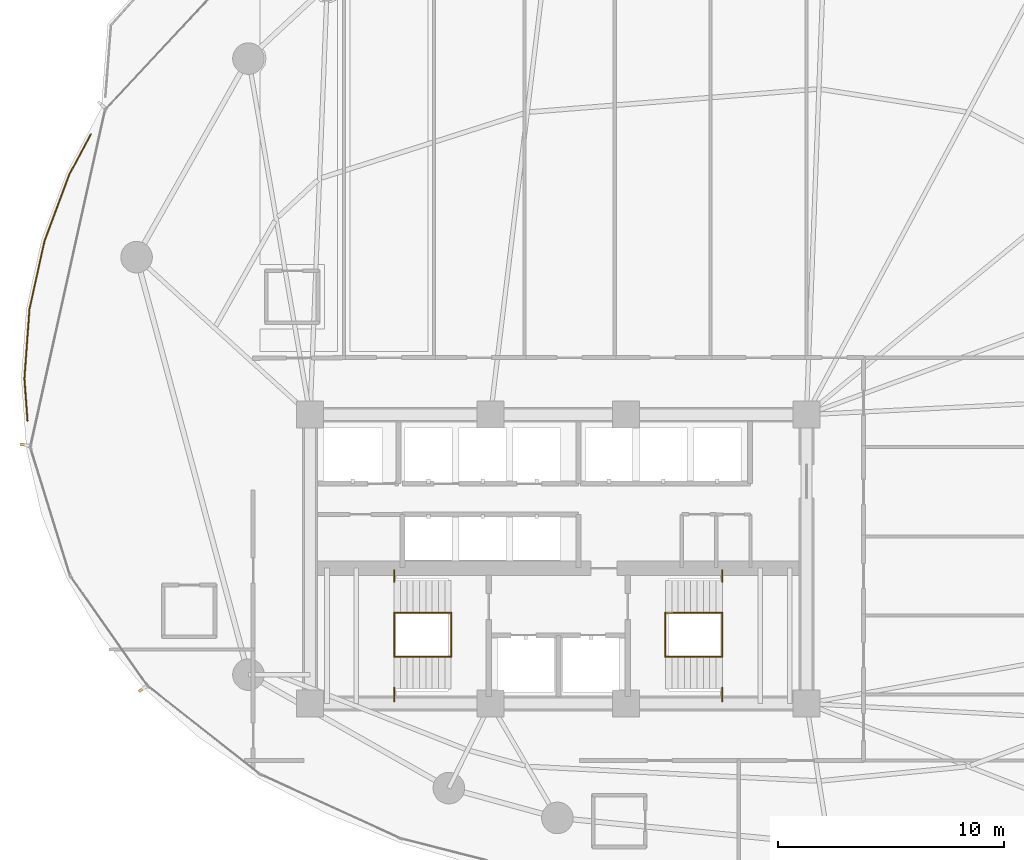
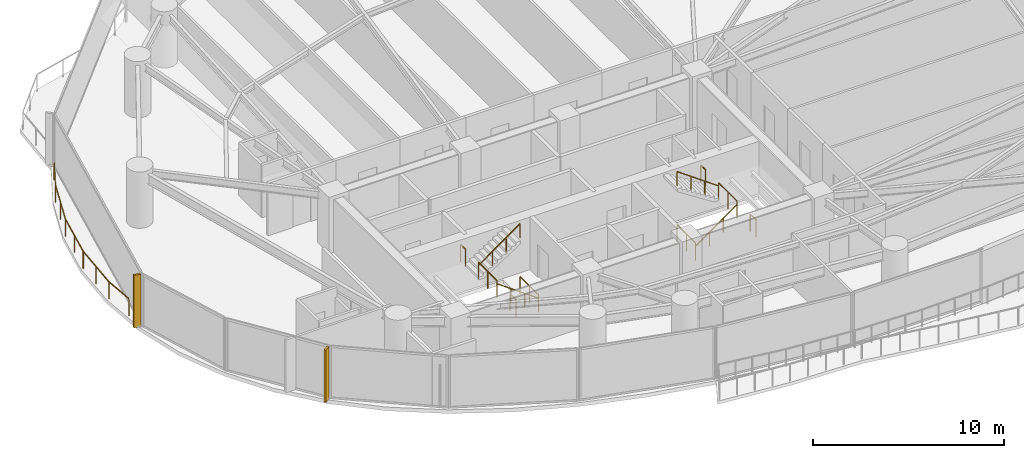
# One storey, part 30 of 33: 13 railings, 2 shading devices.
"""IFC4 building model written with IfcOpenShell, lengths in metres."""

import ifcopenshell
import ifcopenshell.guid

model = None  # the IFC model being written
_history = None  # IfcOwnerHistory: only IFC2X3 demands one
_inside = {}  # id of a spatial element -> (the spatial element, [elements in it])
_under = {}  # id of a project, library or spatial element -> (it, [spatial elements below it])
_declared = {}  # id of a project -> (the project, [libraries it declares])
_typed = {}  # id of a type object -> (the type object, [elements of that type])
_made_of = {}  # id of a material, layer set ... -> (it, [elements and type objects made of it])


def new_model(schema):
    """Start an empty IFC model of exactly this schema.

    Asked for "IFC4X3", IfcOpenShell would pick the latest addendum, in which some entities
    have other attributes; the version numbers below select the first issue.
    IFC2X3 requires an IfcOwnerHistory on every rooted entity: one is made here for all.
    """
    global model, _history
    if schema == "IFC4X3":
        model = ifcopenshell.file(schema_version=(4, 3, 0, 0))
    else:
        model = ifcopenshell.file(schema=schema)
    _inside.clear()
    _under.clear()
    _declared.clear()
    _typed.clear()
    _made_of.clear()
    _history = None
    if model.schema == "IFC2X3":
        org = make("IfcOrganization", Name="unknown")
        user = make(
            "IfcPersonAndOrganization",
            ThePerson=make("IfcPerson", FamilyName="unknown"),
            TheOrganization=org,
        )
        app = make(
            "IfcApplication",
            ApplicationDeveloper=org,
            Version="unknown",
            ApplicationFullName="unknown",
            ApplicationIdentifier="unknown",
        )
        _history = make(
            "IfcOwnerHistory",
            OwningUser=user,
            OwningApplication=app,
            ChangeAction="ADDED",
            CreationDate=0,
        )
    return model


def make(cls, **values):
    """One entity of the class cls with the attributes given. An attribute that is None is left unset."""
    return model.create_entity(
        cls, **{name: value for name, value in values.items() if value is not None}
    )


def rooted(cls, **values):
    """An entity with a GlobalId (a new one), such as an element, a storey or a relation."""
    return make(cls, GlobalId=ifcopenshell.guid.new(), OwnerHistory=_history, **values)


def si_unit(unit_type, name, prefix=None):
    """IfcSIUnit, for example si_unit("LENGTHUNIT", "METRE", prefix="MILLI")."""
    return make("IfcSIUnit", UnitType=unit_type, Prefix=prefix, Name=name)


def assignment(units):
    """IfcUnitAssignment: the units of a project."""
    return None if units is None else make("IfcUnitAssignment", Units=units)


def point(xyz):
    """IfcCartesianPoint."""
    return None if xyz is None else make("IfcCartesianPoint", Coordinates=xyz)


def direction(xyz):
    """IfcDirection."""
    return None if xyz is None else make("IfcDirection", DirectionRatios=xyz)


def frame(location, z_axis=None, x_axis=None):
    """IfcAxis2Placement3D, a coordinate frame: its origin and axes. An axis left out is left unset."""
    return make(
        "IfcAxis2Placement3D",
        Location=point(location),
        Axis=direction(z_axis),
        RefDirection=direction(x_axis),
    )


def frame_2d(location, x_axis=None):
    """IfcAxis2Placement2D, a coordinate frame in the plane: its origin and x axis."""
    return make(
        "IfcAxis2Placement2D", Location=point(location), RefDirection=direction(x_axis)
    )


def origin():
    """The frame at (0, 0, 0) with its axes left unset."""
    return frame((0.0, 0.0, 0.0))


def origin_2d():
    """The frame at (0, 0) in the plane with its x axis left unset."""
    return frame_2d((0.0, 0.0))


def place(relative_to, where):
    """IfcLocalPlacement: puts the frame where relative to a parent placement (None: the world)."""
    return make(
        "IfcLocalPlacement", PlacementRelTo=relative_to, RelativePlacement=where
    )


def context(
    kind, dimensions, precision=None, world=None, true_north=None, identifier=None
):
    """IfcGeometricRepresentationContext, for example the 3D "Model" context."""
    return make(
        "IfcGeometricRepresentationContext",
        ContextIdentifier=identifier,
        ContextType=kind,
        CoordinateSpaceDimension=dimensions,
        Precision=precision,
        WorldCoordinateSystem=world,
        TrueNorth=true_north,
    )


def subcontext(parent, identifier, kind, view, scale=None):
    """IfcGeometricRepresentationSubContext, for example "Body" below "Model"."""
    return make(
        "IfcGeometricRepresentationSubContext",
        ContextIdentifier=identifier,
        ContextType=kind,
        ParentContext=parent,
        TargetScale=scale,
        TargetView=view,
    )


def project(units=None, contexts=None):
    """IfcProject with its units and contexts."""
    return rooted(
        "IfcProject",
        Name="project",
        RepresentationContexts=contexts,
        UnitsInContext=assignment(units),
    )


def spatial(cls, under=None, at=None, **own):
    """A site, building, storey or space (cls), placed at a placement, below another one or the project."""
    s = rooted(cls, ObjectPlacement=at, **own)
    if under is not None:
        _under.setdefault(under.id(), (under, []))[1].append(s)
    return s


def profile(cls, at=None, kind="AREA", **sizes):
    """A parametric profile (cls). Its sizes go by their IFC names, for example OverallWidth=200.0."""
    return make(cls, ProfileType=kind, Position=at, **sizes)


def rectangle(**sizes):
    """IfcRectangleProfileDef."""
    return profile("IfcRectangleProfileDef", **sizes)


def extrude(swept, where, along, depth):
    """IfcExtrudedAreaSolid: the profile swept, set in the frame where, extruded along a direction by depth."""
    return make(
        "IfcExtrudedAreaSolid",
        SweptArea=swept,
        Position=where,
        ExtrudedDirection=direction(along),
        Depth=depth,
    )


def shape(context_of_items, identifier, shape_type, items):
    """IfcShapeRepresentation: the items that make up one representation, for example the "Body"."""
    return make(
        "IfcShapeRepresentation",
        ContextOfItems=context_of_items,
        RepresentationIdentifier=identifier,
        RepresentationType=shape_type,
        Items=items,
    )


def material(Name=None, Category=None):
    """IfcMaterial."""
    return make("IfcMaterial", Name=Name, Category=Category)


def made_of(thing, what):
    """Note that an element or type object is made of a material, layer set ...; save() writes the relation."""
    if what is not None:
        _made_of.setdefault(what.id(), (what, []))[1].append(thing)
    return thing


def type_object(cls, material=None, **own):
    """A type object (cls), such as IfcWallType, which elements share."""
    return made_of(rooted(cls, **own), material)


def element(
    cls,
    number,
    at=None,
    inside=None,
    cuts=None,
    type_object=None,
    material=None,
    context=None,
    identifier="Body",
    shape_type=None,
    held_by="IfcProductDefinitionShape",
    body=None,
    shapes=None,
    **own,
):
    """One element of the class cls, such as IfcWall. Its Tag is "e" and its number.

    at: its placement. inside: the storey or other place that contains it. cuts: it is an
    opening in that element (IfcRelVoidsElement). A single representation is given by context,
    identifier, shape_type and body (its items); several are given by shapes. held_by: the class
    of the entity that holds the representations. save() writes the other relations.
    """
    e = rooted(cls, Tag="e%d" % number, ObjectPlacement=at, **own)
    if body is not None:
        shapes = [shape(context, identifier, shape_type, body)]
    if shapes is not None:
        e.Representation = make(held_by, Representations=shapes)
    if inside is not None:
        _inside.setdefault(inside.id(), (inside, []))[1].append(e)
    if cuts is not None:
        rooted(
            "IfcRelVoidsElement", RelatingBuildingElement=cuts, RelatedOpeningElement=e
        )
    if type_object is not None:
        _typed.setdefault(type_object.id(), (type_object, []))[1].append(e)
    return made_of(e, material)


def aggregate(whole, parts):
    """IfcRelAggregates: a whole, such as a stair, and the parts it consists of."""
    return rooted("IfcRelAggregates", RelatingObject=whole, RelatedObjects=parts)


def save(model, path):
    """Write the relations noted so far, then the file.

    IfcRelAggregates (storeys below a building ...), IfcRelContainedInSpatialStructure (elements
    in a storey), IfcRelDefinesByType, IfcRelAssociatesMaterial and IfcRelDeclares: one each for
    every whole, place, type object, material and project.
    """
    for whole, parts in _under.values():
        aggregate(whole, parts)
    for where, things in _inside.values():
        rooted(
            "IfcRelContainedInSpatialStructure",
            RelatedElements=things,
            RelatingStructure=where,
        )
    for kind, things in _typed.values():
        rooted("IfcRelDefinesByType", RelatedObjects=things, RelatingType=kind)
    for what, things in _made_of.values():
        rooted("IfcRelAssociatesMaterial", RelatedObjects=things, RelatingMaterial=what)
    for by, libraries in _declared.values():
        rooted("IfcRelDeclares", RelatingContext=by, RelatedDefinitions=libraries)
    model.write(path)


model = new_model("IFC4")

# Units and contexts
model_context = context("Model", 3, precision=1e-05, world=origin(), true_north=direction((0.0, 1.0)))
body_context = subcontext(model_context, "Body", "Model", "MODEL_VIEW")
ifc_project = project(units=[si_unit("LENGTHUNIT", "METRE"), si_unit("AREAUNIT", "SQUARE_METRE"), si_unit("VOLUMEUNIT", "CUBIC_METRE"), si_unit("PLANEANGLEUNIT", "RADIAN"), si_unit("MASSUNIT", "GRAM", prefix="KILO")], contexts=[model_context])

# Site, building, storey
site_placement = place(None, origin())
site = spatial("IfcSite", under=ifc_project, at=site_placement, CompositionType="ELEMENT")
building_placement = place(site_placement, origin())
building = spatial("IfcBuilding", under=site, at=building_placement, Name="Kazevale Care Tower and Concert Hall", CompositionType="ELEMENT")
storey_placement = place(building_placement, frame((0.0, 0.0, 31.199951171875)))
storey = spatial("IfcBuildingStorey", under=building, at=storey_placement, Name="L07", CompositionType="ELEMENT", Elevation=31.199951171875)

# Railings
ifc_material_1 = material(Name="Anodised Bronze Aluminium and Laminated Glass", Category="aluminium")
railing_type_1 = type_object("IfcRailingType", Name="Balcony and Terrace Balustrade 1120", PredefinedType="BALUSTRADE", material=ifc_material_1)
railing_1_placement = place(storey_placement, frame((9.47705078125, 36.139892578125, 0.0)))
element("IfcRailing", 1, at=railing_1_placement, inside=storey, type_object=railing_type_1, Name="rail:L07:perim:1", PredefinedType="BALUSTRADE", context=body_context, shape_type="SweptSolid", body=[
    extrude(rectangle(XDim=0.048095703125, YDim=0.048095703125, at=origin_2d()), frame((0.0, 0.0, 1.09619140625), z_axis=(-0.073432916276, 0.997300158832, 0.0), x_axis=(-0.997300158832, -0.073432916276, 0.0)), (0.0, 0.0, 1.0), 1.865234375),
    extrude(rectangle(XDim=0.048095703125, YDim=0.048095703125, at=origin_2d()), frame((-0.136962890625, 1.860107421875, 1.09619140625), z_axis=(0.072729345696, 0.997351714429, 0.0), x_axis=(-0.997351714429, 0.072729345696, 0.0)), (0.0, 0.0, 1.0), 3.078125),
    extrude(rectangle(XDim=0.048095703125, YDim=0.048095703125, at=origin_2d()), frame((0.0869140625, 4.93017578125, 1.09619140625), z_axis=(0.215148295556, 0.976581389808, 0.0), x_axis=(-0.976581389808, 0.215148295556, 0.0)), (0.0, 0.0, 1.0), 3.104736328125),
    extrude(rectangle(XDim=0.048095703125, YDim=0.048095703125, at=origin_2d()), frame((0.7548828125, 7.962158203125, 1.09619140625), z_axis=(0.350139798457, 0.936697454644, 0.0), x_axis=(-0.936697454644, 0.350139798457, 0.0)), (0.0, 0.0, 1.0), 3.15576171875),
    extrude(rectangle(XDim=0.048095703125, YDim=0.048095703125, at=origin_2d()), frame((1.85986328125, 10.918212890625, 1.09619140625), z_axis=(0.473074439741, 0.881022459682, 0.0), x_axis=(-0.881022459682, 0.473074439741, 0.0)), (0.0, 0.0, 1.0), 2.016845703125),
    extrude(rectangle(XDim=0.0419921875, YDim=0.0419921875, at=origin_2d()), origin(), (0.0, 0.0, 1.0), 1.072021484375),
    extrude(rectangle(XDim=0.0419921875, YDim=0.0419921875, at=origin_2d()), frame((-0.136962890625, 1.860107421875, 0.0)), (0.0, 0.0, 1.0), 1.072021484375),
    extrude(rectangle(XDim=0.0419921875, YDim=0.0419921875, at=origin_2d()), frame((-0.02490234375, 3.39501953125, 0.0)), (0.0, 0.0, 1.0), 1.072021484375),
    extrude(rectangle(XDim=0.0419921875, YDim=0.0419921875, at=origin_2d()), frame((0.0869140625, 4.93017578125, 0.0)), (0.0, 0.0, 1.0), 1.072021484375),
    extrude(rectangle(XDim=0.0419921875, YDim=0.0419921875, at=origin_2d()), frame((0.4208984375, 6.4462890625, 0.0)), (0.0, 0.0, 1.0), 1.072021484375),
    extrude(rectangle(XDim=0.0419921875, YDim=0.0419921875, at=origin_2d()), frame((0.7548828125, 7.962158203125, 0.0)), (0.0, 0.0, 1.0), 1.072021484375),
    extrude(rectangle(XDim=0.0419921875, YDim=0.0419921875, at=origin_2d()), frame((1.307373046875, 9.440185546875, 0.0)), (0.0, 0.0, 1.0), 1.072021484375),
    extrude(rectangle(XDim=0.0419921875, YDim=0.0419921875, at=origin_2d()), frame((1.85986328125, 10.918212890625, 0.0)), (0.0, 0.0, 1.0), 1.072021484375),
    extrude(rectangle(XDim=0.0419921875, YDim=0.0419921875, at=origin_2d()), frame((2.81396484375, 12.695068359375, 0.0)), (0.0, 0.0, 1.0), 1.072021484375),
])
ifc_material_2 = material(Name="Stainless Steel 316", Category="steel")
railing_type_2 = type_object("IfcRailingType", Name="Stair Pitch Handrail 920", PredefinedType="HANDRAIL", material=ifc_material_2)
railing_2_placement = place(storey_placement, frame((28.25, 25.679931640625, 0.0)))
element("IfcRailing", 2, at=railing_2_placement, inside=storey, type_object=railing_type_2, Name="stair:L07:ST1:hr1", PredefinedType="HANDRAIL", context=body_context, shape_type="SweptSolid", body=[
    extrude(rectangle(XDim=0.048095703125, YDim=0.048095703125, at=origin_2d()), frame((0.0, 0.0, 0.89599609375), z_axis=(-0.813728144527, 0.0, 0.581245650998), x_axis=(0.0, -1.0, 0.0)), (0.0, 0.0, 1.0), 3.096923828125),
    extrude(rectangle(XDim=0.0419921875, YDim=0.0419921875, at=origin_2d()), origin(), (0.0, 0.0, 1.0), 0.871826171875),
    extrude(rectangle(XDim=0.0419921875, YDim=0.0419921875, at=origin_2d()), frame((-0.840087890625, 0.0, 0.60009765625)), (0.0, 0.0, 1.0), 0.871826171875),
    extrude(rectangle(XDim=0.0419921875, YDim=0.0419921875, at=origin_2d()), frame((-1.679931640625, 0.0, 1.199951171875)), (0.0, 0.0, 1.0), 0.871826171875),
    extrude(rectangle(XDim=0.0419921875, YDim=0.0419921875, at=origin_2d()), frame((-2.52001953125, 0.0, 1.800048828125)), (0.0, 0.0, 1.0), 0.871826171875),
])
for number, where, name in (
    (3, (25.72998046875, 27.6201171875, 1.800048828125), "stair:L07:ST1:hr2"),
    (4, (37.75, 25.679931640625, 0.0), "stair:L07:ST2:hr1"),
):
    element("IfcRailing", number, at=place(storey_placement, frame(where)), inside=storey, type_object=railing_type_2, Name=name, PredefinedType="HANDRAIL", context=body_context, shape_type="SweptSolid", body=[
        extrude(rectangle(XDim=0.048095703125, YDim=0.048095703125, at=origin_2d()), frame((0.0, 0.0, 0.89599609375), z_axis=(0.813728144527, 0.0, 0.581245650998), x_axis=(0.0, 1.0, 0.0)), (0.0, 0.0, 1.0), 3.096923828125),
        extrude(rectangle(XDim=0.0419921875, YDim=0.0419921875, at=origin_2d()), origin(), (0.0, 0.0, 1.0), 0.871826171875),
        extrude(rectangle(XDim=0.0419921875, YDim=0.0419921875, at=origin_2d()), frame((0.840087890625, 0.0, 0.60009765625)), (0.0, 0.0, 1.0), 0.871826171875),
        extrude(rectangle(XDim=0.0419921875, YDim=0.0419921875, at=origin_2d()), frame((1.679931640625, 0.0, 1.199951171875)), (0.0, 0.0, 1.0), 0.871826171875),
        extrude(rectangle(XDim=0.0419921875, YDim=0.0419921875, at=origin_2d()), frame((2.52001953125, 0.0, 1.800048828125)), (0.0, 0.0, 1.0), 0.871826171875),
    ])
railing_3_placement = place(storey_placement, frame((40.27001953125, 27.6201171875, 1.800048828125)))
element("IfcRailing", 5, at=railing_3_placement, inside=storey, type_object=railing_type_2, Name="stair:L07:ST2:hr2", PredefinedType="HANDRAIL", context=body_context, shape_type="SweptSolid", body=[
    extrude(rectangle(XDim=0.048095703125, YDim=0.048095703125, at=origin_2d()), frame((0.0, 0.0, 0.89599609375), z_axis=(-0.813728144527, 0.0, 0.581245650998), x_axis=(0.0, -1.0, 0.0)), (0.0, 0.0, 1.0), 3.096923828125),
    extrude(rectangle(XDim=0.0419921875, YDim=0.0419921875, at=origin_2d()), origin(), (0.0, 0.0, 1.0), 0.871826171875),
    extrude(rectangle(XDim=0.0419921875, YDim=0.0419921875, at=origin_2d()), frame((-0.840087890625, 0.0, 0.60009765625)), (0.0, 0.0, 1.0), 0.871826171875),
    extrude(rectangle(XDim=0.0419921875, YDim=0.0419921875, at=origin_2d()), frame((-1.679931640625, 0.0, 1.199951171875)), (0.0, 0.0, 1.0), 0.871826171875),
    extrude(rectangle(XDim=0.0419921875, YDim=0.0419921875, at=origin_2d()), frame((-2.52001953125, 0.0, 1.800048828125)), (0.0, 0.0, 1.0), 0.871826171875),
])
railing_type_3 = type_object("IfcRailingType", Name="Stair Well Guard Balustrade 1120", PredefinedType="BALUSTRADE", material=ifc_material_2)
railing_4_placement = place(storey_placement, frame((25.72998046875, 23.699951171875, 1.800048828125)))
element("IfcRailing", 6, at=railing_4_placement, inside=storey, type_object=railing_type_3, Name="stair:L07:ST1:grd_side1", PredefinedType="BALUSTRADE", context=body_context, shape_type="SweptSolid", body=[
    extrude(rectangle(XDim=0.048095703125, YDim=0.048095703125, at=origin_2d()), frame((0.0, 0.0, 1.09619140625), z_axis=(0.0, 1.0, 0.0), x_axis=(-1.0, 0.0, 0.0)), (0.0, 0.0, 1.0), 0.610107421875),
    extrude(rectangle(XDim=0.0419921875, YDim=0.0419921875, at=origin_2d()), origin(), (0.0, 0.0, 1.0), 1.072021484375),
    extrude(rectangle(XDim=0.0419921875, YDim=0.0419921875, at=origin_2d()), frame((0.0, 0.610107421875, 0.0)), (0.0, 0.0, 1.0), 1.072021484375),
])
railing_5_placement = place(storey_placement, frame((25.72998046875, 28.989990234375, 1.800048828125)))
element("IfcRailing", 7, at=railing_5_placement, inside=storey, type_object=railing_type_3, Name="stair:L07:ST1:grd_side2", PredefinedType="BALUSTRADE", context=body_context, shape_type="SweptSolid", body=[
    extrude(rectangle(XDim=0.048095703125, YDim=0.048095703125, at=origin_2d()), frame((0.0, 0.0, 1.09619140625), z_axis=(0.0, 1.0, 0.0), x_axis=(-1.0, 0.0, 0.0)), (0.0, 0.0, 1.0), 0.510009765625),
    extrude(rectangle(XDim=0.0419921875, YDim=0.0419921875, at=origin_2d()), origin(), (0.0, 0.0, 1.0), 1.072021484375),
    extrude(rectangle(XDim=0.0419921875, YDim=0.0419921875, at=origin_2d()), frame((0.0, 0.510009765625, 0.0)), (0.0, 0.0, 1.0), 1.072021484375),
])
for number, where, name in (
    (8, (25.72998046875, 25.679931640625, 1.800048828125), "stair:L07:ST1:grd_mid"),
    (9, (28.25, 25.679931640625, 0.0), "stair:L07:ST1:grd_flr"),
):
    element("IfcRailing", number, at=place(storey_placement, frame(where)), inside=storey, type_object=railing_type_3, Name=name, PredefinedType="BALUSTRADE", context=body_context, shape_type="SweptSolid", body=[
        extrude(rectangle(XDim=0.048095703125, YDim=0.048095703125, at=origin_2d()), frame((0.0, 0.0, 1.09619140625), z_axis=(0.0, 1.0, 0.0), x_axis=(-1.0, 0.0, 0.0)), (0.0, 0.0, 1.0), 1.940185546875),
        extrude(rectangle(XDim=0.0419921875, YDim=0.0419921875, at=origin_2d()), origin(), (0.0, 0.0, 1.0), 1.072021484375),
        extrude(rectangle(XDim=0.0419921875, YDim=0.0419921875, at=origin_2d()), frame((0.0, 0.97021484375, 0.0)), (0.0, 0.0, 1.0), 1.072021484375),
        extrude(rectangle(XDim=0.0419921875, YDim=0.0419921875, at=origin_2d()), frame((0.0, 1.940185546875, 0.0)), (0.0, 0.0, 1.0), 1.072021484375),
    ])
railing_6_placement = place(storey_placement, frame((40.27001953125, 23.699951171875, 1.800048828125)))
element("IfcRailing", 10, at=railing_6_placement, inside=storey, type_object=railing_type_3, Name="stair:L07:ST2:grd_side1", PredefinedType="BALUSTRADE", context=body_context, shape_type="SweptSolid", body=[
    extrude(rectangle(XDim=0.048095703125, YDim=0.048095703125, at=origin_2d()), frame((0.0, 0.0, 1.09619140625), z_axis=(0.0, 1.0, 0.0), x_axis=(-1.0, 0.0, 0.0)), (0.0, 0.0, 1.0), 0.610107421875),
    extrude(rectangle(XDim=0.0419921875, YDim=0.0419921875, at=origin_2d()), origin(), (0.0, 0.0, 1.0), 1.072021484375),
    extrude(rectangle(XDim=0.0419921875, YDim=0.0419921875, at=origin_2d()), frame((0.0, 0.610107421875, 0.0)), (0.0, 0.0, 1.0), 1.072021484375),
])
railing_7_placement = place(storey_placement, frame((40.27001953125, 28.989990234375, 1.800048828125)))
element("IfcRailing", 11, at=railing_7_placement, inside=storey, type_object=railing_type_3, Name="stair:L07:ST2:grd_side2", PredefinedType="BALUSTRADE", context=body_context, shape_type="SweptSolid", body=[
    extrude(rectangle(XDim=0.048095703125, YDim=0.048095703125, at=origin_2d()), frame((0.0, 0.0, 1.09619140625), z_axis=(0.0, 1.0, 0.0), x_axis=(-1.0, 0.0, 0.0)), (0.0, 0.0, 1.0), 0.510009765625),
    extrude(rectangle(XDim=0.0419921875, YDim=0.0419921875, at=origin_2d()), origin(), (0.0, 0.0, 1.0), 1.072021484375),
    extrude(rectangle(XDim=0.0419921875, YDim=0.0419921875, at=origin_2d()), frame((0.0, 0.510009765625, 0.0)), (0.0, 0.0, 1.0), 1.072021484375),
])
for number, where, name in (
    (12, (40.27001953125, 25.679931640625, 1.800048828125), "stair:L07:ST2:grd_mid"),
    (13, (37.75, 25.679931640625, 0.0), "stair:L07:ST2:grd_flr"),
):
    element("IfcRailing", number, at=place(storey_placement, frame(where)), inside=storey, type_object=railing_type_3, Name=name, PredefinedType="BALUSTRADE", context=body_context, shape_type="SweptSolid", body=[
        extrude(rectangle(XDim=0.048095703125, YDim=0.048095703125, at=origin_2d()), frame((0.0, 0.0, 1.09619140625), z_axis=(0.0, 1.0, 0.0), x_axis=(-1.0, 0.0, 0.0)), (0.0, 0.0, 1.0), 1.940185546875),
        extrude(rectangle(XDim=0.0419921875, YDim=0.0419921875, at=origin_2d()), origin(), (0.0, 0.0, 1.0), 1.072021484375),
        extrude(rectangle(XDim=0.0419921875, YDim=0.0419921875, at=origin_2d()), frame((0.0, 0.97021484375, 0.0)), (0.0, 0.0, 1.0), 1.072021484375),
        extrude(rectangle(XDim=0.0419921875, YDim=0.0419921875, at=origin_2d()), frame((0.0, 1.940185546875, 0.0)), (0.0, 0.0, 1.0), 1.072021484375),
    ])

# Shading devices
ifc_material_3 = material(Name="Honed Ochre Limestone", Category="masonry")
shading_device_type = type_object("IfcShadingDeviceType", Name="Vertical Honed Limestone Fin FIN-01", PredefinedType="USERDEFINED", material=ifc_material_3)
for number, where, z_axis, x_axis, name in (
    (14, (14.5693359375, 24.23779296875, 0.0), (0.0, 0.0, 1.0), (-0.817547124842, -0.575861700985, 0.0), "cw:L07:f11:fin"),
    (15, (9.34326171875, 35.056884765625, 0.0), (0.0, 0.0, 1.0), (-0.97629600712, 0.216439613938, 0.0), "cw:L07:f13:fin"),
):
    element("IfcShadingDevice", number, at=place(storey_placement, frame(where, z_axis=z_axis, x_axis=x_axis)), inside=storey, type_object=shading_device_type, Name=name, ObjectType="FIN", PredefinedType="USERDEFINED", context=body_context, shape_type="SweptSolid", body=[
        extrude(rectangle(XDim=0.3798828125, YDim=0.1201171875, at=origin_2d()), origin(), (0.0, 0.0, 1.0), 3.360107421875),
    ])

save(model, "model.ifc")
